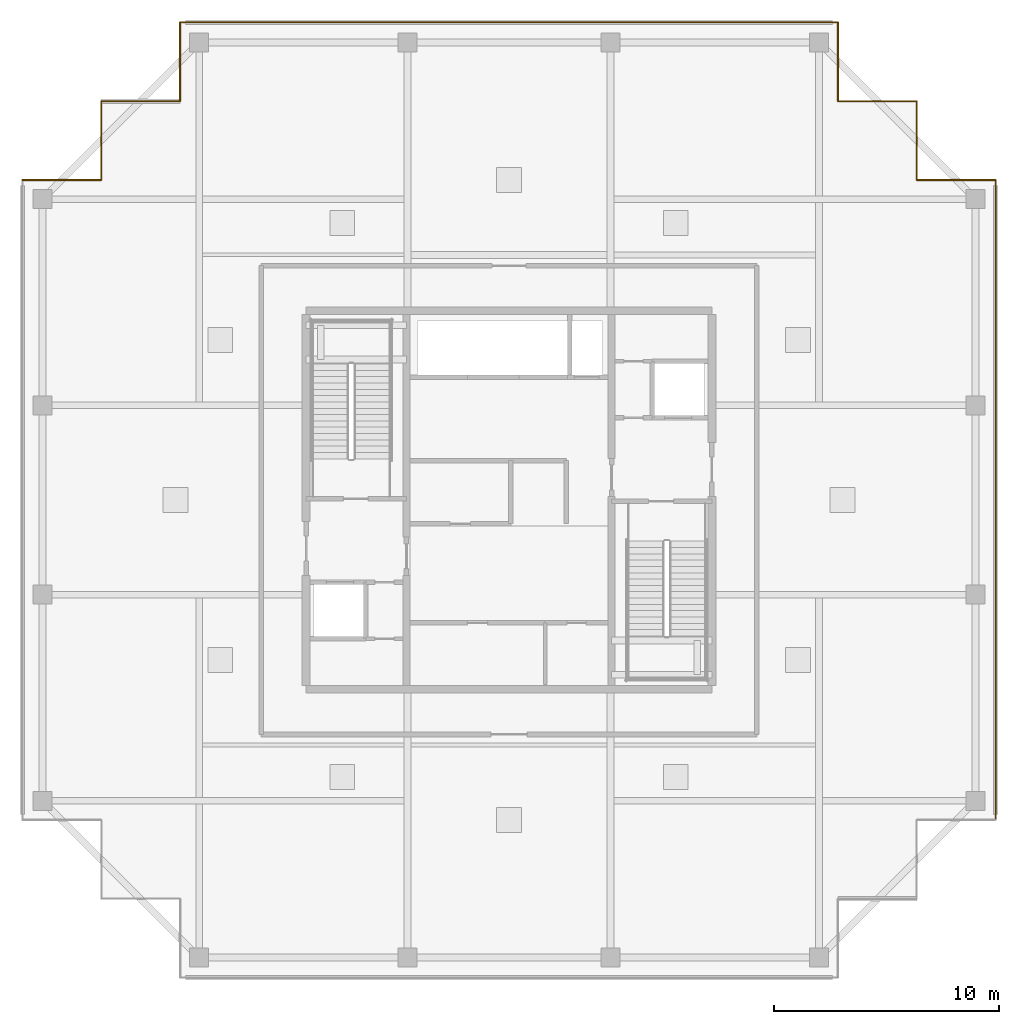
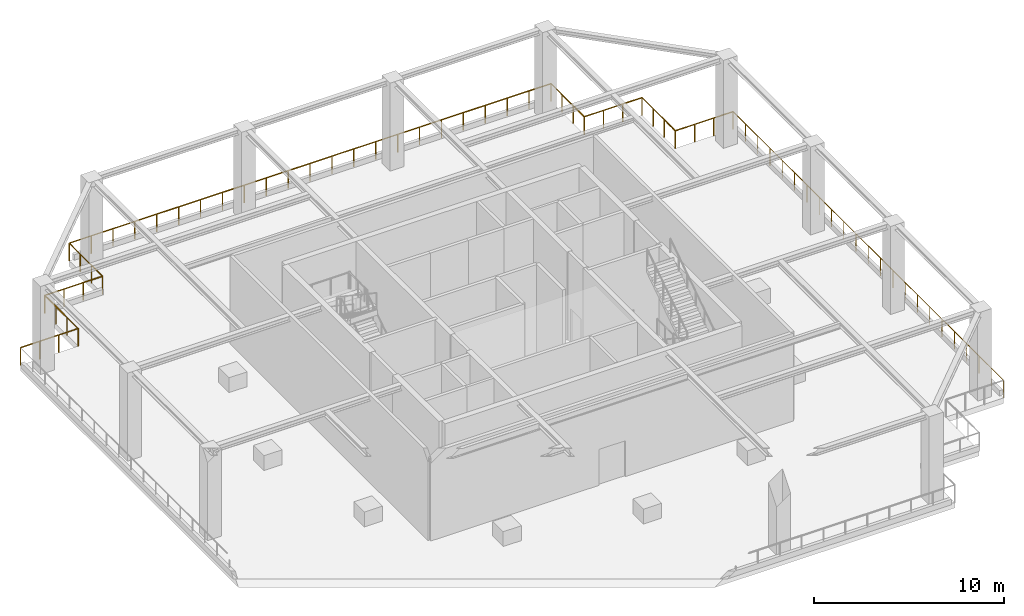
# One storey, part 10 of 10: 10 railings.
"""IFC4 building model written with IfcOpenShell, lengths in metres."""

from ifc_helpers import new_model, si_unit, direction, frame, origin, origin_2d, place, context, subcontext, project, spatial, circle, extrude, material, type_object, element, save


model = new_model("IFC4")

# Units and contexts
model_context = context("Model", 3, precision=1e-05, world=origin(), true_north=direction((0.0, 1.0)))
body_context = subcontext(model_context, "Body", "Model", "MODEL_VIEW")
ifc_project = project(units=[si_unit("LENGTHUNIT", "METRE"), si_unit("AREAUNIT", "SQUARE_METRE"), si_unit("VOLUMEUNIT", "CUBIC_METRE"), si_unit("PLANEANGLEUNIT", "RADIAN"), si_unit("MASSUNIT", "GRAM", prefix="KILO")], contexts=[model_context])

# Site, building, storey
site_placement = place(None, origin())
site = spatial("IfcSite", under=ifc_project, at=site_placement, CompositionType="ELEMENT")
building_placement = place(site_placement, origin())
building = spatial("IfcBuilding", under=site, at=building_placement, Name="Serunith Strait Residences", CompositionType="ELEMENT")
storey_placement = place(building_placement, frame((0.0, 0.0, 359.75)))
storey = spatial("IfcBuildingStorey", under=building, at=storey_placement, Name="L88", CompositionType="ELEMENT", Elevation=359.75)

# Railings
ifc_material = material(Name="Stainless Steel & Laminated Glass Balustrade", Category="steel")
railing_type = type_object("IfcRailingType", Name="RLG-BALC-1150", PredefinedType="BALUSTRADE", material=ifc_material)
railing_1_placement = place(storey_placement, frame((54.0, 11.0, 0.0)))
element("IfcRailing", 1, at=railing_1_placement, inside=storey, type_object=railing_type, Name="Crown Sky-Garden Perimeter Balustrade 06", PredefinedType="BALUSTRADE", context=body_context, shape_type="SweptSolid", body=[
    extrude(circle(Radius=0.02392578125, at=origin_2d()), frame((0.0, 0.001953125, 1.1259765625), z_axis=(0.0, 1.0, 0.0), x_axis=(-1.0, 0.0, 0.0)), (0.0, 0.0, 1.0), 28.39599609375),
    extrude(circle(Radius=0.02099609375, at=origin_2d()), origin(), (0.0, 0.0, 1.0), 1.099853515625),
    extrude(circle(Radius=0.02099609375, at=origin_2d()), frame((0.0, 1.291015625, 0.0)), (0.0, 0.0, 1.0), 1.099853515625),
    extrude(circle(Radius=0.02099609375, at=origin_2d()), frame((0.0, 2.581787109375, 0.0)), (0.0, 0.0, 1.0), 1.099853515625),
    extrude(circle(Radius=0.02099609375, at=origin_2d()), frame((0.0, 3.872802734375, 0.0)), (0.0, 0.0, 1.0), 1.099853515625),
    extrude(circle(Radius=0.02099609375, at=origin_2d()), frame((0.0, 5.16357421875, 0.0)), (0.0, 0.0, 1.0), 1.099853515625),
    extrude(circle(Radius=0.02099609375, at=origin_2d()), frame((0.0, 6.45458984375, 0.0)), (0.0, 0.0, 1.0), 1.099853515625),
    extrude(circle(Radius=0.02099609375, at=origin_2d()), frame((0.0, 7.745361328125, 0.0)), (0.0, 0.0, 1.0), 1.099853515625),
    extrude(circle(Radius=0.02099609375, at=origin_2d()), frame((0.0, 9.036376953125, 0.0)), (0.0, 0.0, 1.0), 1.099853515625),
    extrude(circle(Radius=0.02099609375, at=origin_2d()), frame((0.0, 10.3271484375, 0.0)), (0.0, 0.0, 1.0), 1.099853515625),
    extrude(circle(Radius=0.02099609375, at=origin_2d()), frame((0.0, 11.6181640625, 0.0)), (0.0, 0.0, 1.0), 1.099853515625),
    extrude(circle(Radius=0.02099609375, at=origin_2d()), frame((0.0, 12.908935546875, 0.0)), (0.0, 0.0, 1.0), 1.099853515625),
    extrude(circle(Radius=0.02099609375, at=origin_2d()), frame((0.0, 14.199951171875, 0.0)), (0.0, 0.0, 1.0), 1.099853515625),
    extrude(circle(Radius=0.02099609375, at=origin_2d()), frame((0.0, 15.490966796875, 0.0)), (0.0, 0.0, 1.0), 1.099853515625),
    extrude(circle(Radius=0.02099609375, at=origin_2d()), frame((0.0, 16.78173828125, 0.0)), (0.0, 0.0, 1.0), 1.099853515625),
    extrude(circle(Radius=0.02099609375, at=origin_2d()), frame((0.0, 18.07275390625, 0.0)), (0.0, 0.0, 1.0), 1.099853515625),
    extrude(circle(Radius=0.02099609375, at=origin_2d()), frame((0.0, 19.363525390625, 0.0)), (0.0, 0.0, 1.0), 1.099853515625),
    extrude(circle(Radius=0.02099609375, at=origin_2d()), frame((0.0, 20.654541015625, 0.0)), (0.0, 0.0, 1.0), 1.099853515625),
    extrude(circle(Radius=0.02099609375, at=origin_2d()), frame((0.0, 21.9453125, 0.0)), (0.0, 0.0, 1.0), 1.099853515625),
    extrude(circle(Radius=0.02099609375, at=origin_2d()), frame((0.0, 23.236328125, 0.0)), (0.0, 0.0, 1.0), 1.099853515625),
    extrude(circle(Radius=0.02099609375, at=origin_2d()), frame((0.0, 24.527099609375, 0.0)), (0.0, 0.0, 1.0), 1.099853515625),
    extrude(circle(Radius=0.02099609375, at=origin_2d()), frame((0.0, 25.818115234375, 0.0)), (0.0, 0.0, 1.0), 1.099853515625),
    extrude(circle(Radius=0.02099609375, at=origin_2d()), frame((0.0, 27.10888671875, 0.0)), (0.0, 0.0, 1.0), 1.099853515625),
    extrude(circle(Radius=0.02099609375, at=origin_2d()), frame((0.0, 28.39990234375, 0.0)), (0.0, 0.0, 1.0), 1.099853515625),
])
railing_2_placement = place(storey_placement, frame((54.0, 39.39990234375, 0.0)))
element("IfcRailing", 2, at=railing_2_placement, inside=storey, type_object=railing_type, Name="Crown Sky-Garden Perimeter Balustrade 07", PredefinedType="BALUSTRADE", context=body_context, shape_type="SweptSolid", body=[
    extrude(circle(Radius=0.02392578125, at=origin_2d()), frame((-0.001953125, 0.0, 1.1259765625), z_axis=(-1.0, 0.0, 0.0), x_axis=(0.0, -1.0, 0.0)), (0.0, 0.0, 1.0), 3.49609375),
    extrude(circle(Radius=0.02099609375, at=origin_2d()), origin(), (0.0, 0.0, 1.0), 1.099853515625),
    extrude(circle(Radius=0.02099609375, at=origin_2d()), frame((-1.166748046875, 0.0, 0.0)), (0.0, 0.0, 1.0), 1.099853515625),
    extrude(circle(Radius=0.02099609375, at=origin_2d()), frame((-2.333251953125, 0.0, 0.0)), (0.0, 0.0, 1.0), 1.099853515625),
    extrude(circle(Radius=0.02099609375, at=origin_2d()), frame((-3.5, 0.0, 0.0)), (0.0, 0.0, 1.0), 1.099853515625),
])
railing_3_placement = place(storey_placement, frame((50.5, 39.39990234375, 0.0)))
element("IfcRailing", 3, at=railing_3_placement, inside=storey, type_object=railing_type, Name="Crown Sky-Garden Perimeter Balustrade 08", PredefinedType="BALUSTRADE", context=body_context, shape_type="SweptSolid", body=[
    extrude(circle(Radius=0.02392578125, at=origin_2d()), frame((0.0, 0.001953125, 1.1259765625), z_axis=(0.0, 1.0, 0.0), x_axis=(-1.0, 0.0, 0.0)), (0.0, 0.0, 1.0), 3.49609375),
    extrude(circle(Radius=0.02099609375, at=origin_2d()), origin(), (0.0, 0.0, 1.0), 1.099853515625),
    extrude(circle(Radius=0.02099609375, at=origin_2d()), frame((0.0, 1.166748046875, 0.0)), (0.0, 0.0, 1.0), 1.099853515625),
    extrude(circle(Radius=0.02099609375, at=origin_2d()), frame((0.0, 2.333251953125, 0.0)), (0.0, 0.0, 1.0), 1.099853515625),
    extrude(circle(Radius=0.02099609375, at=origin_2d()), frame((0.0, 3.5, 0.0)), (0.0, 0.0, 1.0), 1.099853515625),
])
railing_4_placement = place(storey_placement, frame((50.5, 42.89990234375, 0.0)))
element("IfcRailing", 4, at=railing_4_placement, inside=storey, type_object=railing_type, Name="Crown Sky-Garden Perimeter Balustrade 09", PredefinedType="BALUSTRADE", context=body_context, shape_type="SweptSolid", body=[
    extrude(circle(Radius=0.02392578125, at=origin_2d()), frame((-0.001953125, 0.0, 1.1259765625), z_axis=(-1.0, 0.0, 0.0), x_axis=(0.0, -1.0, 0.0)), (0.0, 0.0, 1.0), 3.49609375),
    extrude(circle(Radius=0.02099609375, at=origin_2d()), origin(), (0.0, 0.0, 1.0), 1.099853515625),
    extrude(circle(Radius=0.02099609375, at=origin_2d()), frame((-1.166748046875, 0.0, 0.0)), (0.0, 0.0, 1.0), 1.099853515625),
    extrude(circle(Radius=0.02099609375, at=origin_2d()), frame((-2.333251953125, 0.0, 0.0)), (0.0, 0.0, 1.0), 1.099853515625),
    extrude(circle(Radius=0.02099609375, at=origin_2d()), frame((-3.5, 0.0, 0.0)), (0.0, 0.0, 1.0), 1.099853515625),
])
railing_5_placement = place(storey_placement, frame((47.0, 42.89990234375, 0.0)))
element("IfcRailing", 5, at=railing_5_placement, inside=storey, type_object=railing_type, Name="Crown Sky-Garden Perimeter Balustrade 10", PredefinedType="BALUSTRADE", context=body_context, shape_type="SweptSolid", body=[
    extrude(circle(Radius=0.02392578125, at=origin_2d()), frame((0.0, 0.001953125, 1.1259765625), z_axis=(0.0, 1.0, 0.0), x_axis=(-1.0, 0.0, 0.0)), (0.0, 0.0, 1.0), 3.49609375),
    extrude(circle(Radius=0.02099609375, at=origin_2d()), origin(), (0.0, 0.0, 1.0), 1.099853515625),
    extrude(circle(Radius=0.02099609375, at=origin_2d()), frame((0.0, 1.166748046875, 0.0)), (0.0, 0.0, 1.0), 1.099853515625),
    extrude(circle(Radius=0.02099609375, at=origin_2d()), frame((0.0, 2.333251953125, 0.0)), (0.0, 0.0, 1.0), 1.099853515625),
    extrude(circle(Radius=0.02099609375, at=origin_2d()), frame((0.0, 3.5, 0.0)), (0.0, 0.0, 1.0), 1.099853515625),
])
railing_6_placement = place(storey_placement, frame((47.0, 46.39990234375, 0.0)))
element("IfcRailing", 6, at=railing_6_placement, inside=storey, type_object=railing_type, Name="Crown Sky-Garden Perimeter Balustrade 11", PredefinedType="BALUSTRADE", context=body_context, shape_type="SweptSolid", body=[
    extrude(circle(Radius=0.02392578125, at=origin_2d()), frame((-0.001953125, 0.0, 1.1259765625), z_axis=(-1.0, 0.0, 0.0), x_axis=(0.0, -1.0, 0.0)), (0.0, 0.0, 1.0), 29.196044921875),
    extrude(circle(Radius=0.02099609375, at=origin_2d()), origin(), (0.0, 0.0, 1.0), 1.099853515625),
    extrude(circle(Radius=0.02099609375, at=origin_2d()), frame((-1.3271484375, 0.0, 0.0)), (0.0, 0.0, 1.0), 1.099853515625),
    extrude(circle(Radius=0.02099609375, at=origin_2d()), frame((-2.654541015625, 0.0, 0.0)), (0.0, 0.0, 1.0), 1.099853515625),
    extrude(circle(Radius=0.02099609375, at=origin_2d()), frame((-3.981689453125, 0.0, 0.0)), (0.0, 0.0, 1.0), 1.099853515625),
    extrude(circle(Radius=0.02099609375, at=origin_2d()), frame((-5.30908203125, 0.0, 0.0)), (0.0, 0.0, 1.0), 1.099853515625),
    extrude(circle(Radius=0.02099609375, at=origin_2d()), frame((-6.63623046875, 0.0, 0.0)), (0.0, 0.0, 1.0), 1.099853515625),
    extrude(circle(Radius=0.02099609375, at=origin_2d()), frame((-7.963623046875, 0.0, 0.0)), (0.0, 0.0, 1.0), 1.099853515625),
    extrude(circle(Radius=0.02099609375, at=origin_2d()), frame((-9.291015625, 0.0, 0.0)), (0.0, 0.0, 1.0), 1.099853515625),
    extrude(circle(Radius=0.02099609375, at=origin_2d()), frame((-10.6181640625, 0.0, 0.0)), (0.0, 0.0, 1.0), 1.099853515625),
    extrude(circle(Radius=0.02099609375, at=origin_2d()), frame((-11.9453125, 0.0, 0.0)), (0.0, 0.0, 1.0), 1.099853515625),
    extrude(circle(Radius=0.02099609375, at=origin_2d()), frame((-13.272705078125, 0.0, 0.0)), (0.0, 0.0, 1.0), 1.099853515625),
    extrude(circle(Radius=0.02099609375, at=origin_2d()), frame((-14.60009765625, 0.0, 0.0)), (0.0, 0.0, 1.0), 1.099853515625),
    extrude(circle(Radius=0.02099609375, at=origin_2d()), frame((-15.92724609375, 0.0, 0.0)), (0.0, 0.0, 1.0), 1.099853515625),
    extrude(circle(Radius=0.02099609375, at=origin_2d()), frame((-17.25439453125, 0.0, 0.0)), (0.0, 0.0, 1.0), 1.099853515625),
    extrude(circle(Radius=0.02099609375, at=origin_2d()), frame((-18.581787109375, 0.0, 0.0)), (0.0, 0.0, 1.0), 1.099853515625),
    extrude(circle(Radius=0.02099609375, at=origin_2d()), frame((-19.9091796875, 0.0, 0.0)), (0.0, 0.0, 1.0), 1.099853515625),
    extrude(circle(Radius=0.02099609375, at=origin_2d()), frame((-21.236328125, 0.0, 0.0)), (0.0, 0.0, 1.0), 1.099853515625),
    extrude(circle(Radius=0.02099609375, at=origin_2d()), frame((-22.5634765625, 0.0, 0.0)), (0.0, 0.0, 1.0), 1.099853515625),
    extrude(circle(Radius=0.02099609375, at=origin_2d()), frame((-23.890869140625, 0.0, 0.0)), (0.0, 0.0, 1.0), 1.099853515625),
    extrude(circle(Radius=0.02099609375, at=origin_2d()), frame((-25.21826171875, 0.0, 0.0)), (0.0, 0.0, 1.0), 1.099853515625),
    extrude(circle(Radius=0.02099609375, at=origin_2d()), frame((-26.54541015625, 0.0, 0.0)), (0.0, 0.0, 1.0), 1.099853515625),
    extrude(circle(Radius=0.02099609375, at=origin_2d()), frame((-27.87255859375, 0.0, 0.0)), (0.0, 0.0, 1.0), 1.099853515625),
    extrude(circle(Radius=0.02099609375, at=origin_2d()), frame((-29.199951171875, 0.0, 0.0)), (0.0, 0.0, 1.0), 1.099853515625),
])
railing_7_placement = place(storey_placement, frame((17.800048828125, 46.39990234375, 0.0)))
element("IfcRailing", 7, at=railing_7_placement, inside=storey, type_object=railing_type, Name="Crown Sky-Garden Perimeter Balustrade 12", PredefinedType="BALUSTRADE", context=body_context, shape_type="SweptSolid", body=[
    extrude(circle(Radius=0.02392578125, at=origin_2d()), frame((0.0, -0.001953125, 1.1259765625), z_axis=(0.0, -1.0, 0.0), x_axis=(1.0, 0.0, 0.0)), (0.0, 0.0, 1.0), 3.49609375),
    extrude(circle(Radius=0.02099609375, at=origin_2d()), origin(), (0.0, 0.0, 1.0), 1.099853515625),
    extrude(circle(Radius=0.02099609375, at=origin_2d()), frame((0.0, -1.166748046875, 0.0)), (0.0, 0.0, 1.0), 1.099853515625),
    extrude(circle(Radius=0.02099609375, at=origin_2d()), frame((0.0, -2.333251953125, 0.0)), (0.0, 0.0, 1.0), 1.099853515625),
    extrude(circle(Radius=0.02099609375, at=origin_2d()), frame((0.0, -3.5, 0.0)), (0.0, 0.0, 1.0), 1.099853515625),
])
railing_8_placement = place(storey_placement, frame((17.800048828125, 42.89990234375, 0.0)))
element("IfcRailing", 8, at=railing_8_placement, inside=storey, type_object=railing_type, Name="Crown Sky-Garden Perimeter Balustrade 13", PredefinedType="BALUSTRADE", context=body_context, shape_type="SweptSolid", body=[
    extrude(circle(Radius=0.02392578125, at=origin_2d()), frame((-0.001953125, 0.0, 1.1259765625), z_axis=(-1.0, 0.0, 0.0), x_axis=(0.0, -1.0, 0.0)), (0.0, 0.0, 1.0), 3.49609375),
    extrude(circle(Radius=0.02099609375, at=origin_2d()), origin(), (0.0, 0.0, 1.0), 1.099853515625),
    extrude(circle(Radius=0.02099609375, at=origin_2d()), frame((-1.166748046875, 0.0, 0.0)), (0.0, 0.0, 1.0), 1.099853515625),
    extrude(circle(Radius=0.02099609375, at=origin_2d()), frame((-2.333251953125, 0.0, 0.0)), (0.0, 0.0, 1.0), 1.099853515625),
    extrude(circle(Radius=0.02099609375, at=origin_2d()), frame((-3.5, 0.0, 0.0)), (0.0, 0.0, 1.0), 1.099853515625),
])
railing_9_placement = place(storey_placement, frame((14.300048828125, 42.89990234375, 0.0)))
element("IfcRailing", 9, at=railing_9_placement, inside=storey, type_object=railing_type, Name="Crown Sky-Garden Perimeter Balustrade 14", PredefinedType="BALUSTRADE", context=body_context, shape_type="SweptSolid", body=[
    extrude(circle(Radius=0.02392578125, at=origin_2d()), frame((0.0, -0.001953125, 1.1259765625), z_axis=(0.0, -1.0, 0.0), x_axis=(1.0, 0.0, 0.0)), (0.0, 0.0, 1.0), 3.49609375),
    extrude(circle(Radius=0.02099609375, at=origin_2d()), origin(), (0.0, 0.0, 1.0), 1.099853515625),
    extrude(circle(Radius=0.02099609375, at=origin_2d()), frame((0.0, -1.166748046875, 0.0)), (0.0, 0.0, 1.0), 1.099853515625),
    extrude(circle(Radius=0.02099609375, at=origin_2d()), frame((0.0, -2.333251953125, 0.0)), (0.0, 0.0, 1.0), 1.099853515625),
    extrude(circle(Radius=0.02099609375, at=origin_2d()), frame((0.0, -3.5, 0.0)), (0.0, 0.0, 1.0), 1.099853515625),
])
railing_10_placement = place(storey_placement, frame((14.300048828125, 39.39990234375, 0.0)))
element("IfcRailing", 10, at=railing_10_placement, inside=storey, type_object=railing_type, Name="Crown Sky-Garden Perimeter Balustrade 15", PredefinedType="BALUSTRADE", context=body_context, shape_type="SweptSolid", body=[
    extrude(circle(Radius=0.02392578125, at=origin_2d()), frame((-0.001953125, 0.0, 1.1259765625), z_axis=(-1.0, 0.0, 0.0), x_axis=(0.0, -1.0, 0.0)), (0.0, 0.0, 1.0), 3.49609375),
    extrude(circle(Radius=0.02099609375, at=origin_2d()), origin(), (0.0, 0.0, 1.0), 1.099853515625),
    extrude(circle(Radius=0.02099609375, at=origin_2d()), frame((-1.166748046875, 0.0, 0.0)), (0.0, 0.0, 1.0), 1.099853515625),
    extrude(circle(Radius=0.02099609375, at=origin_2d()), frame((-2.333251953125, 0.0, 0.0)), (0.0, 0.0, 1.0), 1.099853515625),
    extrude(circle(Radius=0.02099609375, at=origin_2d()), frame((-3.5, 0.0, 0.0)), (0.0, 0.0, 1.0), 1.099853515625),
])

save(model, "model.ifc")
